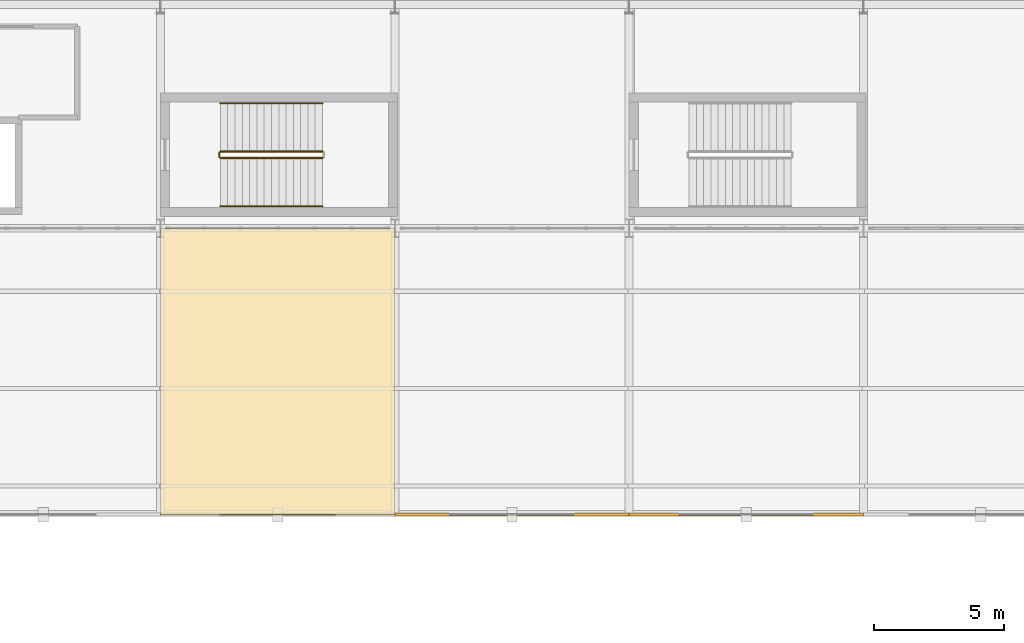
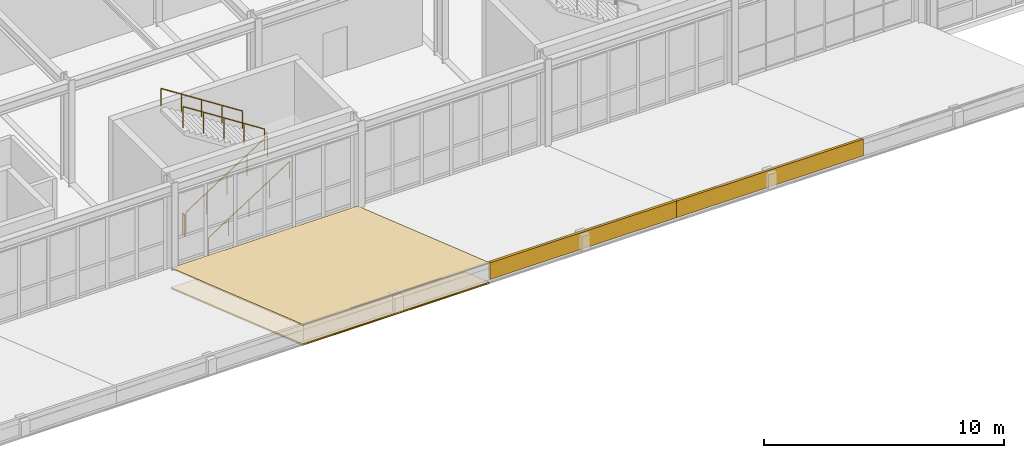
# One storey, part 223 of 239: 5 coverings, 5 railings.
"""IFC4 building model written with IfcOpenShell, lengths in metres."""

from ifc_helpers import new_model, si_unit, direction, frame, origin, origin_2d, place, context, subcontext, project, spatial, polyline, rectangle, circle, outline, extrude, material, layer, layer_set, type_object, element, save


model = new_model("IFC4")

# Units and contexts
model_context = context("Model", 3, precision=1e-05, world=origin(), true_north=direction((0.0, 1.0)))
body_context = subcontext(model_context, "Body", "Model", "MODEL_VIEW")
ifc_project = project(units=[si_unit("LENGTHUNIT", "METRE"), si_unit("AREAUNIT", "SQUARE_METRE"), si_unit("VOLUMEUNIT", "CUBIC_METRE"), si_unit("PLANEANGLEUNIT", "RADIAN"), si_unit("MASSUNIT", "GRAM", prefix="KILO")], contexts=[model_context])

# Site, building, storey
site_placement = place(None, origin())
site = spatial("IfcSite", under=ifc_project, at=site_placement, CompositionType="ELEMENT")
building_placement = place(site_placement, origin())
building = spatial("IfcBuilding", under=site, at=building_placement, Name="Kaldris Quays Convention Centre", CompositionType="ELEMENT")
storey_placement = place(building_placement, frame((0.0, 0.0, 11.39990234375)))
storey = spatial("IfcBuildingStorey", under=building, at=storey_placement, Name="L02", CompositionType="ELEMENT", Elevation=11.39990234375)

# Coverings
ifc_material_1 = material(Name="Alabaster white star-pierced anodized aluminium panel", Category="aluminium")
ifc_layer_1 = layer(ifc_material_1, 0.054931640625)
ifc_layer_set_1 = layer_set([ifc_layer_1], Name="Alabaster white star-pierced anodized aluminium panel")
covering_type_1 = type_object("IfcCoveringType", Name="ALABASTER WHITE STANDING SEAM ROOF SRF1", PredefinedType="ROOFING", material=ifc_layer_set_1)
covering_1_placement = place(storey_placement, frame((110.0, 27.0, 4.642578125), z_axis=(0.0, 0.325567686474, 0.945518736739), x_axis=(1.0, 0.0, 0.0)))
element("IfcCovering", 1, at=covering_1_placement, inside=storey, type_object=covering_type_1, Name="WR-SOUTH-ENTRY Alabaster White Raised Wing Top Cladding 13", PredefinedType="ROOFING", context=body_context, shape_type="SweptSolid", body=[
    extrude(outline(polyline([(0.0, 0.0), (9.0, 0.0), (9.0, 11.633825510365472), (0.0, 11.633825510365472), (0.0, 0.0)])), origin(), (0.0, 0.0, -1.0), 0.054931640625),
])
ifc_material_2 = material(Name="Glulam GL28h", Category="wood")
ifc_layer_2 = layer(ifc_material_2, 0.0400390625)
ifc_layer_set_2 = layer_set([ifc_layer_2], Name="Glulam GL28h")
covering_type_2 = type_object("IfcCoveringType", Name="GLULAM WING SOFFIT TRIM SF02", PredefinedType="CEILING", material=ifc_layer_set_2)
covering_2_placement = place(storey_placement, frame((110.0, 27.0, 3.600341796875), z_axis=(0.0, 0.325567686474, 0.945518736739), x_axis=(1.0, 0.0, 0.0)))
element("IfcCovering", 2, at=covering_2_placement, inside=storey, type_object=covering_type_2, Name="WR-SOUTH-ENTRY Glulam GL28h Wing Soffit Trim 13", PredefinedType="CEILING", context=body_context, shape_type="SweptSolid", body=[
    extrude(outline(polyline([(0.0, 0.0), (9.0, 0.0), (9.0, 11.633825510365472), (0.0, 11.633825510365472), (0.0, 0.0)])), origin(), (0.0, 0.0, -1.0), 0.0400390625),
])

# Railings
ifc_material_3 = material(Name="Steel S355J2", Category="steel")
railing_type_1 = type_object("IfcRailingType", Name="INTERIOR GUARDRAIL GR01", PredefinedType="GUARDRAIL", material=ifc_material_3)
railing_1_placement = place(storey_placement, frame((112.300048828125, 40.699951171875, 0.18017578125)))
element("IfcRailing", 3, at=railing_1_placement, inside=storey, type_object=railing_type_1, Name="L02 ST13 Stair Guardrail 1", PredefinedType="GUARDRAIL", context=body_context, shape_type="SweptSolid", body=[
    extrude(circle(Radius=0.02392578125, at=origin_2d()), frame((0.0, 0.0, 1.076171875), z_axis=(0.841171666519, 0.0, 0.540768182723), x_axis=(0.0, 1.0, 0.0)), (0.0, 0.0, 1.0), 4.66015625),
    extrude(circle(Radius=0.02099609375, at=origin_2d()), origin(), (0.0, 0.0, 1.0), 1.052001953125),
    extrude(circle(Radius=0.02099609375, at=origin_2d()), frame((0.97998046875, 0.0, 0.6298828125)), (0.0, 0.0, 1.0), 1.052001953125),
    extrude(circle(Radius=0.02099609375, at=origin_2d()), frame((1.9599609375, 0.0, 1.260009765625)), (0.0, 0.0, 1.0), 1.052001953125),
    extrude(circle(Radius=0.02099609375, at=origin_2d()), frame((2.93994140625, 0.0, 1.89013671875)), (0.0, 0.0, 1.0), 1.052001953125),
    extrude(circle(Radius=0.02099609375, at=origin_2d()), frame((3.919921875, 0.0, 2.52001953125)), (0.0, 0.0, 1.0), 1.052001953125),
])
railing_2_placement = place(storey_placement, frame((116.219970703125, 40.949951171875, 2.880126953125)))
element("IfcRailing", 4, at=railing_2_placement, inside=storey, type_object=railing_type_1, Name="L02 ST13 Stair Guardrail 3", PredefinedType="GUARDRAIL", context=body_context, shape_type="SweptSolid", body=[
    extrude(circle(Radius=0.02392578125, at=origin_2d()), frame((0.0, 0.0, 1.076171875), z_axis=(-0.841171666519, 0.0, 0.540768182723), x_axis=(0.0, -1.0, 0.0)), (0.0, 0.0, 1.0), 4.66015625),
    extrude(circle(Radius=0.02099609375, at=origin_2d()), origin(), (0.0, 0.0, 1.0), 1.052001953125),
    extrude(circle(Radius=0.02099609375, at=origin_2d()), frame((-0.97998046875, 0.0, 0.6298828125)), (0.0, 0.0, 1.0), 1.052001953125),
    extrude(circle(Radius=0.02099609375, at=origin_2d()), frame((-1.9599609375, 0.0, 1.260009765625)), (0.0, 0.0, 1.0), 1.052001953125),
    extrude(circle(Radius=0.02099609375, at=origin_2d()), frame((-2.93994140625, 0.0, 1.89013671875)), (0.0, 0.0, 1.0), 1.052001953125),
    extrude(circle(Radius=0.02099609375, at=origin_2d()), frame((-3.919921875, 0.0, 2.52001953125)), (0.0, 0.0, 1.0), 1.052001953125),
])
railing_3_placement = place(storey_placement, frame((112.25, 40.75, 0.0)))
element("IfcRailing", 5, at=railing_3_placement, inside=storey, type_object=railing_type_1, Name="L02 ST13 Stair Guardrail 4", PredefinedType="GUARDRAIL", context=body_context, shape_type="SweptSolid", body=[
    extrude(circle(Radius=0.02392578125, at=origin_2d()), frame((0.0, 0.0, 1.076171875), z_axis=(0.0, 1.0, 0.0), x_axis=(-1.0, 0.0, 0.0)), (0.0, 0.0, 1.0), 0.14990234375),
    extrude(circle(Radius=0.02099609375, at=origin_2d()), origin(), (0.0, 0.0, 1.0), 1.052001953125),
    extrude(circle(Radius=0.02099609375, at=origin_2d()), frame((0.0, 0.14990234375, 0.0)), (0.0, 0.0, 1.0), 1.052001953125),
])
ifc_material_4 = material(Name="Stainless steel 1.4301", Category="steel")
railing_type_2 = type_object("IfcRailingType", Name="STAIR HANDRAIL HR01", PredefinedType="HANDRAIL", material=ifc_material_4)
railing_4_placement = place(storey_placement, frame((112.300048828125, 38.85009765625, 0.18017578125)))
element("IfcRailing", 6, at=railing_4_placement, inside=storey, type_object=railing_type_2, Name="L02 ST13 Flight Handrail 1", PredefinedType="HANDRAIL", context=body_context, shape_type="SweptSolid", body=[
    extrude(circle(Radius=0.02392578125, at=origin_2d()), frame((0.0, 0.0, 0.8759765625), z_axis=(0.841171666519, 0.0, 0.540768182723), x_axis=(0.0, 1.0, 0.0)), (0.0, 0.0, 1.0), 4.66015625),
    extrude(circle(Radius=0.02099609375, at=origin_2d()), origin(), (0.0, 0.0, 1.0), 0.851806640625),
    extrude(circle(Radius=0.02099609375, at=origin_2d()), frame((0.97998046875, 0.0, 0.6298828125)), (0.0, 0.0, 1.0), 0.851806640625),
    extrude(circle(Radius=0.02099609375, at=origin_2d()), frame((1.9599609375, 0.0, 1.260009765625)), (0.0, 0.0, 1.0), 0.851806640625),
    extrude(circle(Radius=0.02099609375, at=origin_2d()), frame((2.93994140625, 0.0, 1.89013671875)), (0.0, 0.0, 1.0), 0.851806640625),
    extrude(circle(Radius=0.02099609375, at=origin_2d()), frame((3.919921875, 0.0, 2.52001953125)), (0.0, 0.0, 1.0), 0.851806640625),
])
railing_5_placement = place(storey_placement, frame((116.219970703125, 42.800048828125, 2.880126953125)))
element("IfcRailing", 7, at=railing_5_placement, inside=storey, type_object=railing_type_2, Name="L02 ST13 Flight Handrail 2", PredefinedType="HANDRAIL", context=body_context, shape_type="SweptSolid", body=[
    extrude(circle(Radius=0.02392578125, at=origin_2d()), frame((0.0, 0.0, 0.8759765625), z_axis=(-0.841171666519, 0.0, 0.540768182723), x_axis=(0.0, -1.0, 0.0)), (0.0, 0.0, 1.0), 4.66015625),
    extrude(circle(Radius=0.02099609375, at=origin_2d()), origin(), (0.0, 0.0, 1.0), 0.851806640625),
    extrude(circle(Radius=0.02099609375, at=origin_2d()), frame((-0.97998046875, 0.0, 0.6298828125)), (0.0, 0.0, 1.0), 0.851806640625),
    extrude(circle(Radius=0.02099609375, at=origin_2d()), frame((-1.9599609375, 0.0, 1.260009765625)), (0.0, 0.0, 1.0), 0.851806640625),
    extrude(circle(Radius=0.02099609375, at=origin_2d()), frame((-2.93994140625, 0.0, 1.89013671875)), (0.0, 0.0, 1.0), 0.851806640625),
    extrude(circle(Radius=0.02099609375, at=origin_2d()), frame((-3.919921875, 0.0, 2.52001953125)), (0.0, 0.0, 1.0), 0.851806640625),
])

# Coverings
ifc_layer_3 = layer(ifc_material_1, 0.044921875)
ifc_layer_set_3 = layer_set([ifc_layer_3], Name="Alabaster white star-pierced anodized aluminium panel")
covering_type_3 = type_object("IfcCoveringType", Name="STAR PIERCED WHITE FOLDED SCREEN CL01", PredefinedType="CLADDING", material=ifc_layer_set_3)
for number, where, z_axis, x_axis, name in (
    (8, (123.5, 27.0, 3.812744140625), (0.0, 0.0, 1.0), (1.0, 0.0, 0.0), "WR-SOUTH-ENTRY Alabaster White Wing Leading Fascia 14"),
    (9, (132.5, 27.0, 3.812744140625), (0.0, 0.0, 1.0), (1.0, 0.0, 0.0), "WR-SOUTH-ENTRY Alabaster White Wing Leading Fascia 15"),
):
    element("IfcCovering", number, at=place(storey_placement, frame(where, z_axis=z_axis, x_axis=x_axis)), inside=storey, type_object=covering_type_3, Name=name, PredefinedType="CLADDING", context=body_context, shape_type="SweptSolid", body=[
        extrude(rectangle(XDim=9.0, YDim=0.1201171875, at=origin_2d()), origin(), (0.0, 0.0, 1.0), 0.85009765625),
    ])
ifc_layer_4 = layer(ifc_material_1, 0.034912109375)
ifc_layer_set_4 = layer_set([ifc_layer_4], Name="Alabaster white star-pierced anodized aluminium panel")
covering_type_4 = type_object("IfcCoveringType", Name="STAR PIERCED WHITE WING SOFFIT SF01", PredefinedType="CEILING", material=ifc_layer_set_4)
covering_3_placement = place(storey_placement, frame((110.0, 27.0, 3.6455078125), z_axis=(0.0, 0.325567686474, 0.945518736739), x_axis=(1.0, 0.0, 0.0)))
element("IfcCovering", 10, at=covering_3_placement, inside=storey, type_object=covering_type_4, Name="WR-SOUTH-ENTRY Star-Pierced White Wing Soffit 13", PredefinedType="CEILING", context=body_context, shape_type="SweptSolid", body=[
    extrude(outline(polyline([(0.0, 0.0), (9.0, 0.0), (9.0, 11.633825510365472), (0.0, 11.633825510365472), (0.0, 0.0)])), origin(), (0.0, 0.0, -1.0), 0.044921875),
])

save(model, "model.ifc")
